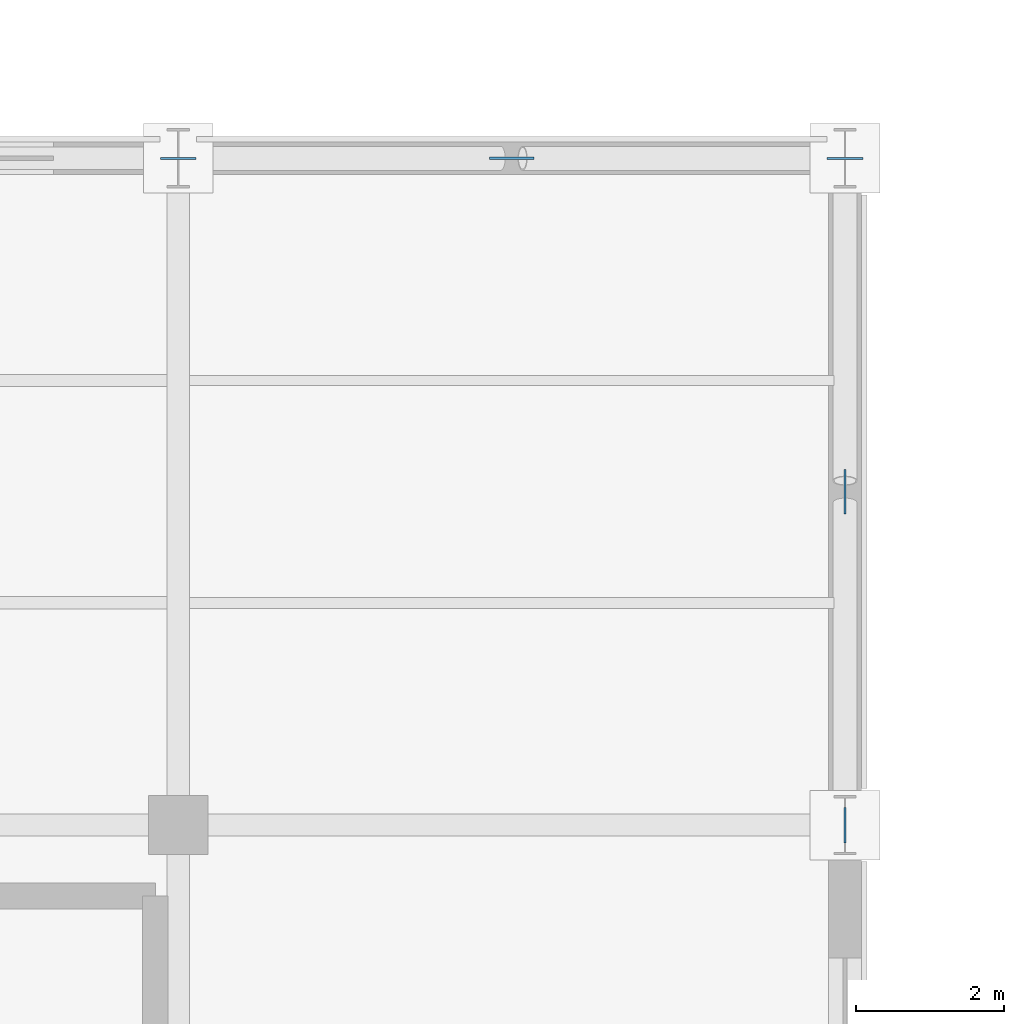
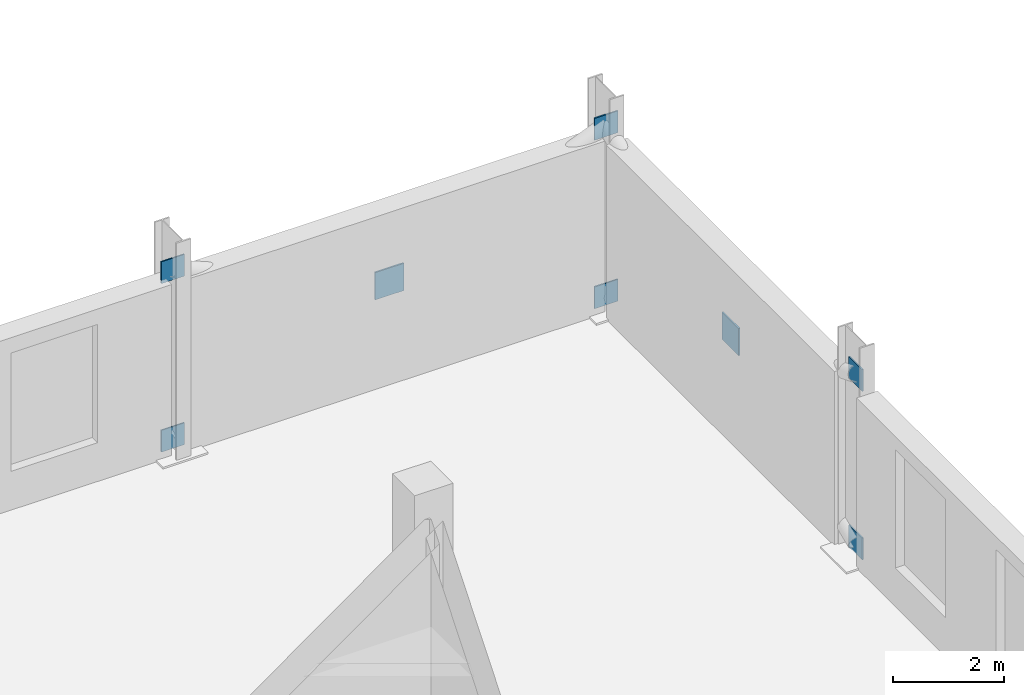
# One storey, part 31 of 54: 8 plates.
"""IFC4 building model written with IfcOpenShell, lengths in metres."""

from ifc_helpers import new_model, si_unit, direction, frame, origin, origin_2d, place, context, subcontext, project, spatial, rectangle, extrude, material, layer, layer_set, type_object, element, save


model = new_model("IFC4")

# Units and contexts
model_context = context("Model", 3, precision=1e-05, world=origin(), true_north=direction((0.0, 1.0)))
body_context = subcontext(model_context, "Body", "Model", "MODEL_VIEW")
ifc_project = project(units=[si_unit("LENGTHUNIT", "METRE"), si_unit("AREAUNIT", "SQUARE_METRE"), si_unit("VOLUMEUNIT", "CUBIC_METRE"), si_unit("PLANEANGLEUNIT", "RADIAN"), si_unit("MASSUNIT", "GRAM", prefix="KILO")], contexts=[model_context])

# Site, building, storey
site_placement = place(None, origin())
site = spatial("IfcSite", under=ifc_project, at=site_placement, CompositionType="ELEMENT")
building_placement = place(site_placement, origin())
building = spatial("IfcBuilding", under=site, at=building_placement, Name="Sundgate Opera House", CompositionType="ELEMENT")
storey_placement = place(building_placement, frame((0.0, 0.0, 16.800048828125)))
storey = spatial("IfcBuildingStorey", under=building, at=storey_placement, Name="L03", CompositionType="ELEMENT", Elevation=16.800048828125)

# Plates
ifc_material_1 = material(Name="Steel S355J2", Category="steel")
ifc_layer_1 = layer(ifc_material_1, 0.028076171875)
ifc_layer_set_1 = layer_set([ifc_layer_1], Name="Steel S355J2")
plate_type_1 = type_object("IfcPlateType", Name="PT-GUS-28", PredefinedType="USERDEFINED", material=ifc_layer_set_1)
for number, where, z_axis, x_axis, name in (
    (1, (72.0, 87.0, 0.010009765625), (0.0, 0.0, 1.0), (1.0, 0.0, 0.0), "L03 Belt-Truss End Gusset"),
    (2, (81.0, 87.0, 3.7099609375), (0.0, 0.0, 1.0), (1.0, 0.0, 0.0), "L03 Belt-Truss End Gusset"),
    (3, (81.0, 87.0, 0.010009765625), (0.0, 0.0, 1.0), (1.0, 0.0, 0.0), "L03 Belt-Truss End Gusset"),
    (4, (72.0, 87.0, 3.7099609375), (0.0, 0.0, 1.0), (1.0, 0.0, 0.0), "L03 Belt-Truss End Gusset"),
):
    element("IfcPlate", number, at=place(storey_placement, frame(where, z_axis=z_axis, x_axis=x_axis)), inside=storey, type_object=plate_type_1, Name=name, ObjectType="GUSSET PLATE", PredefinedType="USERDEFINED", context=body_context, shape_type="SweptSolid", body=[
        extrude(rectangle(XDim=0.47998046875, YDim=0.028076171875, at=origin_2d()), origin(), (0.0, 0.0, 1.0), 0.47998046875),
    ])
for number, where, z_axis, x_axis, name in (
    (5, (81.0, 78.0, 0.010009765625), (0.0, 0.0, 1.0), (1.0, 0.0, 0.0), "L03 Belt-Truss End Gusset"),
    (6, (81.0, 78.0, 3.7099609375), (0.0, 0.0, 1.0), (1.0, 0.0, 0.0), "L03 Belt-Truss End Gusset"),
):
    element("IfcPlate", number, at=place(storey_placement, frame(where, z_axis=z_axis, x_axis=x_axis)), inside=storey, type_object=plate_type_1, Name=name, ObjectType="GUSSET PLATE", PredefinedType="USERDEFINED", context=body_context, shape_type="SweptSolid", body=[
        extrude(rectangle(XDim=0.028076171875, YDim=0.47998046875, at=origin_2d()), origin(), (0.0, 0.0, 1.0), 0.47998046875),
    ])
ifc_material_2 = material(Name="Steel S355J2", Category="steel")
ifc_layer_2 = layer(ifc_material_2, 0.031982421875)
ifc_layer_set_2 = layer_set([ifc_layer_2], Name="Steel S355J2")
plate_type_2 = type_object("IfcPlateType", Name="PT-GUS-32", PredefinedType="USERDEFINED", material=ifc_layer_set_2)
plate_1_placement = place(storey_placement, frame((76.5, 87.0, 1.7998046875), z_axis=(0.0, 0.0, 1.0), x_axis=(1.0, 0.0, 0.0)))
element("IfcPlate", 7, at=plate_1_placement, inside=storey, type_object=plate_type_2, Name="L03 Belt-Truss Central Crossing Gusset", ObjectType="GUSSET PLATE", PredefinedType="USERDEFINED", context=body_context, shape_type="SweptSolid", body=[
    extrude(rectangle(XDim=0.60009765625, YDim=0.031982421875, at=origin_2d()), origin(), (0.0, 0.0, 1.0), 0.60009765625),
])
plate_2_placement = place(storey_placement, frame((81.0, 82.5, 1.7998046875), z_axis=(0.0, 0.0, 1.0), x_axis=(1.0, 0.0, 0.0)))
element("IfcPlate", 8, at=plate_2_placement, inside=storey, type_object=plate_type_2, Name="L03 Belt-Truss Central Crossing Gusset", ObjectType="GUSSET PLATE", PredefinedType="USERDEFINED", context=body_context, shape_type="SweptSolid", body=[
    extrude(rectangle(XDim=0.031982421875, YDim=0.60009765625, at=origin_2d()), origin(), (0.0, 0.0, 1.0), 0.60009765625),
])

save(model, "model.ifc")
